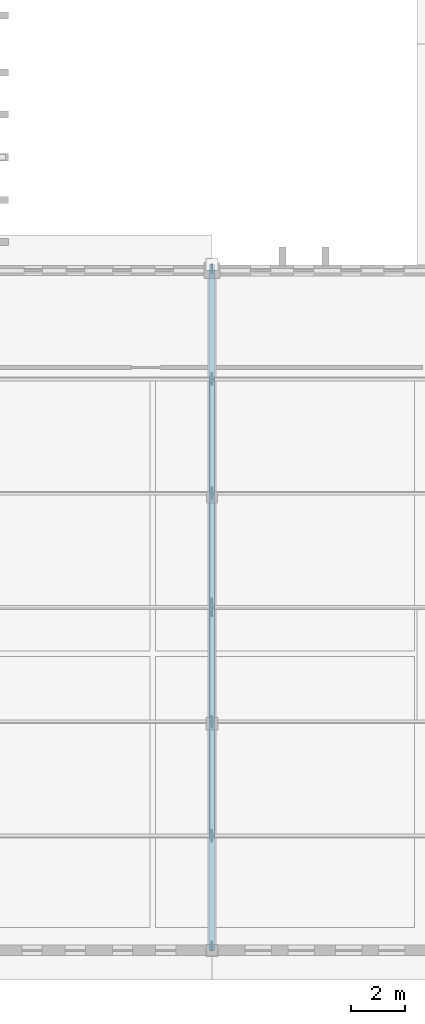
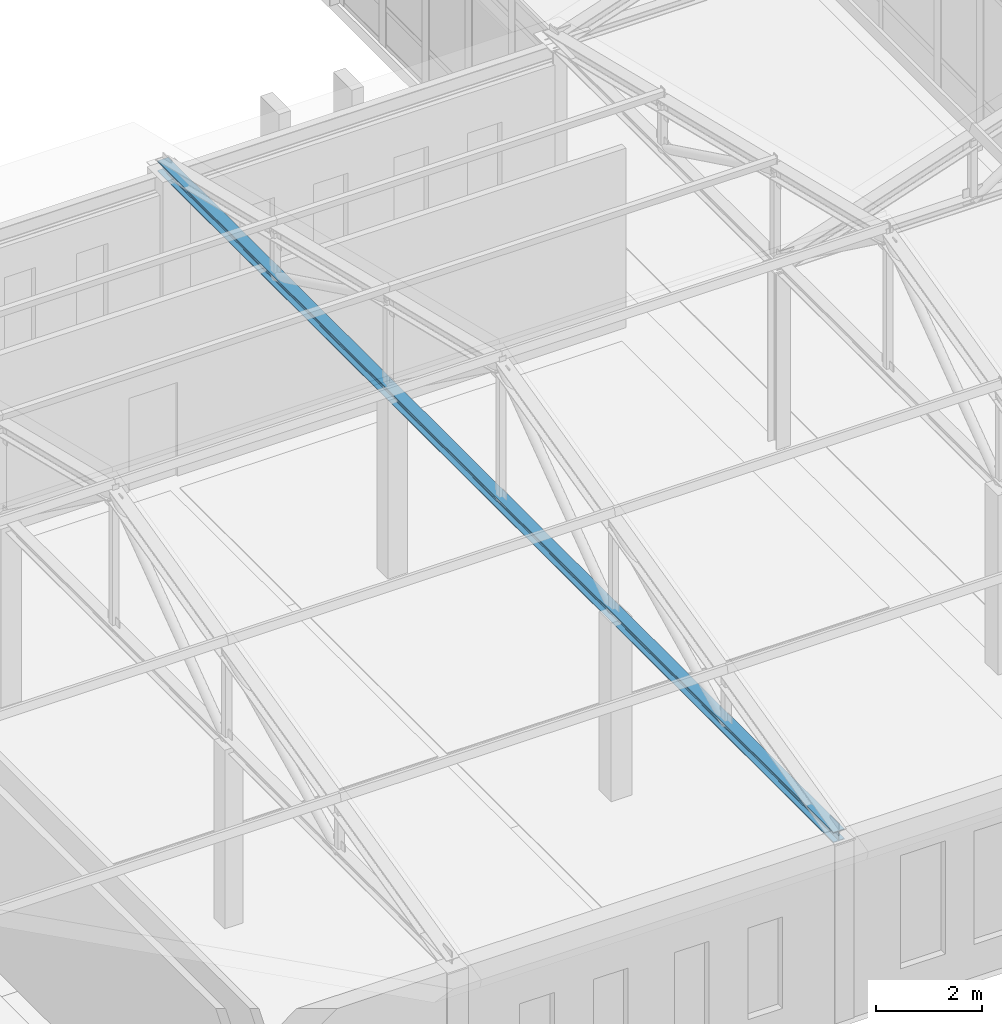
# One storey, part 30 of 192: 1 member.
"""IFC4 building model written with IfcOpenShell, lengths in metres."""

from ifc_helpers import new_model, si_unit, direction, frame, origin, origin_2d, place, context, subcontext, project, spatial, i_section, extrude, material, material_profile, profile_set, type_object, element, save


model = new_model("IFC4")

# Units and contexts
model_context = context("Model", 3, precision=1e-05, world=origin(), true_north=direction((0.0, 1.0)))
body_context = subcontext(model_context, "Body", "Model", "MODEL_VIEW")
ifc_project = project(units=[si_unit("LENGTHUNIT", "METRE"), si_unit("AREAUNIT", "SQUARE_METRE"), si_unit("VOLUMEUNIT", "CUBIC_METRE"), si_unit("PLANEANGLEUNIT", "RADIAN"), si_unit("MASSUNIT", "GRAM", prefix="KILO")], contexts=[model_context])

# Site, building, storey
site_placement = place(None, origin())
site = spatial("IfcSite", under=ifc_project, at=site_placement, CompositionType="ELEMENT")
building_placement = place(site_placement, origin())
building = spatial("IfcBuilding", under=site, at=building_placement, Name="Kveldsbrygga Polytechnic", CompositionType="ELEMENT")
storey_placement = place(building_placement, frame((0.0, 0.0, 5.43994140625)))
storey = spatial("IfcBuildingStorey", under=building, at=storey_placement, Name="L01", CompositionType="ELEMENT", Elevation=5.43994140625)

# Member
ifc_material = material(Name="Steel S355", Category="steel")
ifc_material_profile = material_profile(ifc_material, i_section(OverallWidth=0.239990234375, OverallDepth=0.239990234375, WebThickness=0.010009765625, FlangeThickness=0.01708984375, FilletRadius=0.02099609375, at=origin_2d()), Name="HEB 240")
ifc_profile_set = profile_set([ifc_material_profile], Name="Steel S355")
member_type = type_object("IfcMemberType", Name="TR-BOT-HEB240", PredefinedType="CHORD", material=ifc_profile_set)
member_placement = place(storey_placement, frame((42.0, 0.0, 4.1201171875), z_axis=(0.0, 1.0, 0.0), x_axis=(-1.0, 0.0, 0.0)))
element("IfcMember", 1, at=member_placement, inside=storey, type_object=member_type, Name="Truss Bottom Chord V5S-T06-BC-1", PredefinedType="CHORD", context=body_context, shape_type="SweptSolid", body=[
    extrude(i_section(OverallWidth=0.239990234375, OverallDepth=0.239990234375, WebThickness=0.010009765625, FlangeThickness=0.01708984375, FilletRadius=0.02099609375, at=origin_2d()), origin(), (0.0, 0.0, 1.0), 25.419921875),
])

save(model, "model.ifc")
